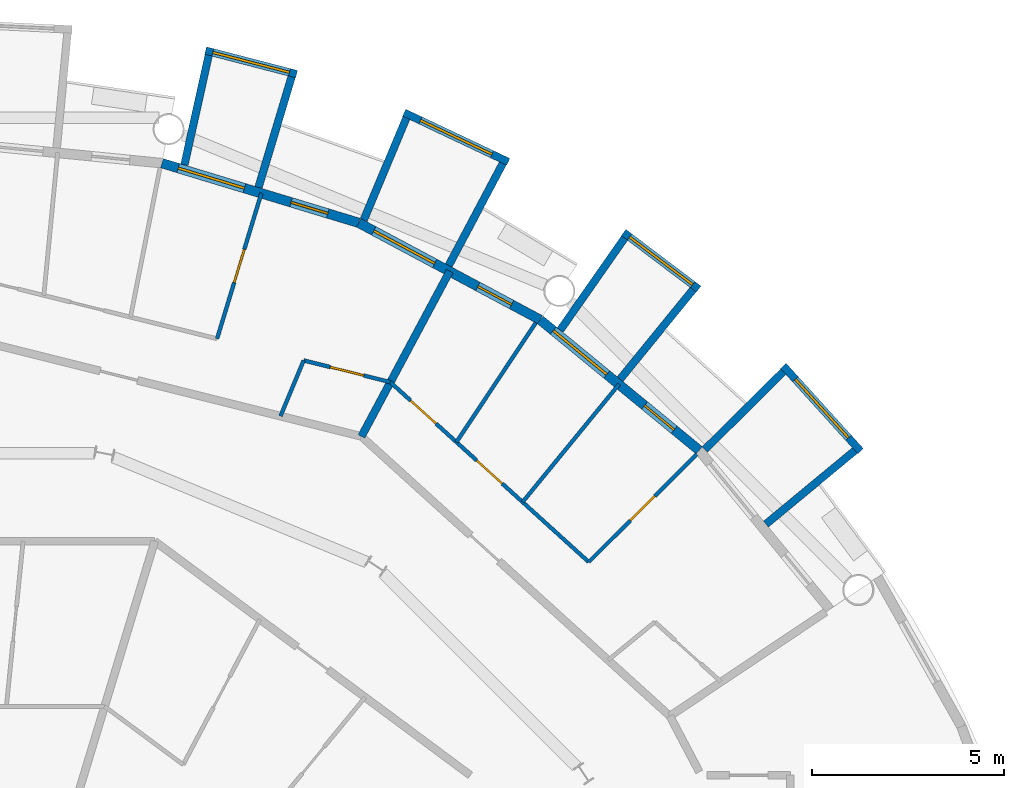
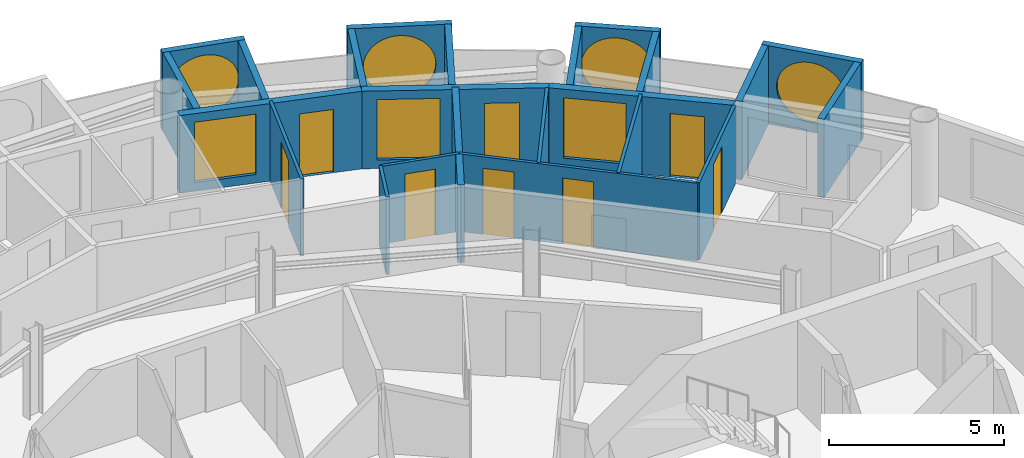
# One storey, part 23 of 26: 23 walls, 8 doors, 7 windows, 15 openings.
"""IFC4 building model written with IfcOpenShell, lengths in metres."""

from ifc_helpers import new_model, si_unit, direction, frame, frame_2d, origin, place, context, subcontext, project, spatial, rectangle, circle, extrude, material, layer, layer_set, type_object, element, fill, save


model = new_model("IFC4")

# Units and contexts
model_context = context("Model", 3, precision=1e-05, world=origin(), true_north=direction((0.0, 1.0)))
body_context = subcontext(model_context, "Body", "Model", "MODEL_VIEW")
ifc_project = project(units=[si_unit("LENGTHUNIT", "METRE"), si_unit("AREAUNIT", "SQUARE_METRE"), si_unit("VOLUMEUNIT", "CUBIC_METRE"), si_unit("PLANEANGLEUNIT", "RADIAN"), si_unit("MASSUNIT", "GRAM", prefix="KILO")], contexts=[model_context])

# Site, building, storey
site_placement = place(None, origin())
site = spatial("IfcSite", under=ifc_project, at=site_placement, CompositionType="ELEMENT")
building_placement = place(site_placement, origin())
building = spatial("IfcBuilding", under=site, at=building_placement, Name="Maasbend Ring Residences", CompositionType="ELEMENT")
storey_placement = place(building_placement, frame((0.0, 0.0, 154.35009765625)))
storey = spatial("IfcBuildingStorey", under=building, at=storey_placement, Name="L44", CompositionType="ELEMENT", Elevation=154.35009765625)

# Wall, opening, window
ifc_material_1 = material(Name="Pale anodised aluminium panel", Category="aluminium")
ifc_layer_1 = layer(ifc_material_1, 0.199951171875)
ifc_layer_set_1 = layer_set([ifc_layer_1], Name="EW-BOX")
wall_type_1 = type_object("IfcWallType", Name="EW-BOX", PredefinedType="SOLIDWALL", material=ifc_layer_set_1)
wall_1_placement = place(storey_placement, frame((23.5029296875, 19.281982421875, -0.030029296875), z_axis=(0.0, 0.0, 1.0), x_axis=(-0.671506829416, 0.740998365753, 0.0)))
wall_1 = element("IfcWall", 1, at=wall_1_placement, inside=storey, type_object=wall_type_1, Name="Box front N02", PredefinedType="SOLIDWALL", context=body_context, shape_type="SweptSolid", body=[
    extrude(rectangle(XDim=2.9931640625, YDim=0.199951171875, at=frame_2d((1.49658203125, 0.0))), origin(), (0.0, 0.0, 1.0), 2.72998046875),
])
opening_1_placement = place(wall_1_placement, frame((0.45654296875, 0.0, 0.330078125)))
opening_1 = element("IfcOpeningElement", 2, at=opening_1_placement, cuts=wall_1, Name="Opening W-RD", PredefinedType="OPENING", context=body_context, shape_type="SweptSolid", body=[
    extrude(circle(Radius=1.0400390625, at=frame_2d((1.0400390625, 1.0400390625))), frame((0.0, 0.10986328125, 0.0), z_axis=(0.0, -1.0, 0.0), x_axis=(1.0, 0.0, 0.0)), (0.0, 0.0, 1.0), 0.219970703125),
])
ifc_material_2 = material(Name="Aluminium and clear glass", Category="aluminium")
window_type_1 = type_object("IfcWindowType", Name="W-RD", PartitioningType="SINGLE_PANEL", PredefinedType="WINDOW", material=ifc_material_2)
window_1_placement = place(opening_1_placement, origin())
window_1 = element("IfcWindow", 3, at=window_1_placement, inside=storey, type_object=window_type_1, Name="Round window N02", OverallHeight=2.080078125, OverallWidth=2.080078125, PartitioningType="SINGLE_PANEL", PredefinedType="WINDOW", context=body_context, shape_type="SweptSolid", body=[
    extrude(circle(Radius=1.0400390625, at=frame_2d((1.0400390625, 1.0400390625))), frame((0.0, 0.030029296875, 0.0), z_axis=(0.0, -1.0, 0.0), x_axis=(1.0, 0.0, 0.0)), (0.0, 0.0, 1.0), 0.06005859375),
])
fill(opening_1, window_1)

# Walls
wall_2_placement = place(storey_placement, frame((21.041015625, 17.384033203125, -0.030029296875), z_axis=(0.0, 0.0, 1.0), x_axis=(0.770784861449, 0.63709551667, 0.0)))
element("IfcWall", 4, at=wall_2_placement, inside=storey, type_object=wall_type_1, Name="Box side wall N02 left", PredefinedType="SOLIDWALL", context=body_context, shape_type="SweptSolid", body=[
    extrude(rectangle(XDim=3.005859375, YDim=0.199951171875, at=frame_2d((1.5029296875, 0.0))), origin(), (0.0, 0.0, 1.0), 2.72998046875),
])
wall_3_placement = place(storey_placement, frame((19.449951171875, 19.322998046875, -0.030029296875), z_axis=(0.0, 0.0, 1.0), x_axis=(0.709727076896, 0.704476739375, 0.0)))
element("IfcWall", 5, at=wall_3_placement, inside=storey, type_object=wall_type_1, Name="Box side wall N02 right", PredefinedType="SOLIDWALL", context=body_context, shape_type="SweptSolid", body=[
    extrude(rectangle(XDim=2.883056640625, YDim=0.199951171875, at=frame_2d((1.44140625, 0.0))), origin(), (0.0, 0.0, 1.0), 2.72998046875),
])

# Wall, opening, window
wall_4_placement = place(storey_placement, frame((19.2890625, 23.4970703125, -0.030029296875), z_axis=(0.0, 0.0, 1.0), x_axis=(-0.797887588059, 0.602806268067, 0.0)))
wall_4 = element("IfcWall", 6, at=wall_4_placement, inside=storey, type_object=wall_type_1, Name="Box front N04", PredefinedType="SOLIDWALL", context=body_context, shape_type="SweptSolid", body=[
    extrude(rectangle(XDim=2.446533203125, YDim=0.199951171875, at=frame_2d((1.22314453125, 0.0))), origin(), (0.0, 0.0, 1.0), 2.72998046875),
])
opening_2_placement = place(wall_4_placement, frame((0.182861328125, 0.0, 0.330078125)))
opening_2 = element("IfcOpeningElement", 7, at=opening_2_placement, cuts=wall_4, Name="Opening W-RD", PredefinedType="OPENING", context=body_context, shape_type="SweptSolid", body=[
    extrude(circle(Radius=1.0400390625, at=frame_2d((1.0400390625, 1.0400390625))), frame((0.0, 0.10986328125, 0.0), z_axis=(0.0, -1.0, 0.0), x_axis=(1.0, 0.0, 0.0)), (0.0, 0.0, 1.0), 0.219970703125),
])
window_2_placement = place(opening_2_placement, origin())
window_2 = element("IfcWindow", 8, at=window_2_placement, inside=storey, type_object=window_type_1, Name="Round window N04", OverallHeight=2.080078125, OverallWidth=2.080078125, PartitioningType="SINGLE_PANEL", PredefinedType="WINDOW", context=body_context, shape_type="SweptSolid", body=[
    extrude(circle(Radius=1.0400390625, at=frame_2d((1.0400390625, 1.0400390625))), frame((0.0, 0.030029296875, 0.0), z_axis=(0.0, -1.0, 0.0), x_axis=(1.0, 0.0, 0.0)), (0.0, 0.0, 1.0), 0.06005859375),
])
fill(opening_2, window_2)

# Walls
wall_5_placement = place(storey_placement, frame((17.24609375, 21.155029296875, -0.030029296875), z_axis=(0.0, 0.0, 1.0), x_axis=(0.631741648902, 0.775179004516, 0.0)))
element("IfcWall", 9, at=wall_5_placement, inside=storey, type_object=wall_type_1, Name="Box side wall N04 left", PredefinedType="SOLIDWALL", context=body_context, shape_type="SweptSolid", body=[
    extrude(rectangle(XDim=3.005859375, YDim=0.199951171875, at=frame_2d((1.5029296875, 0.0))), origin(), (0.0, 0.0, 1.0), 2.72998046875),
])
wall_6_placement = place(storey_placement, frame((15.68798828125, 22.43310546875, -0.030029296875), z_axis=(0.0, 0.0, 1.0), x_axis=(0.573260687834, 0.819373043115, 0.0)))
element("IfcWall", 10, at=wall_6_placement, inside=storey, type_object=wall_type_1, Name="Box side wall N04 right", PredefinedType="SOLIDWALL", context=body_context, shape_type="SweptSolid", body=[
    extrude(rectangle(XDim=2.92529296875, YDim=0.199951171875, at=frame_2d((1.462646484375, 0.0))), origin(), (0.0, 0.0, 1.0), 2.72998046875),
])

# Wall, opening, window
wall_7_placement = place(storey_placement, frame((14.3349609375, 26.80810546875, -0.030029296875), z_axis=(0.0, 0.0, 1.0), x_axis=(-0.904000060331, 0.427532327342, 0.0)))
wall_7 = element("IfcWall", 11, at=wall_7_placement, inside=storey, type_object=wall_type_1, Name="Box front N06", PredefinedType="SOLIDWALL", context=body_context, shape_type="SweptSolid", body=[
    extrude(rectangle(XDim=2.993408203125, YDim=0.199951171875, at=frame_2d((1.49658203125, 0.0))), origin(), (0.0, 0.0, 1.0), 2.72998046875),
])
opening_3_placement = place(wall_7_placement, frame((0.45654296875, 0.0, 0.330078125)))
opening_3 = element("IfcOpeningElement", 12, at=opening_3_placement, cuts=wall_7, Name="Opening W-RD", PredefinedType="OPENING", context=body_context, shape_type="SweptSolid", body=[
    extrude(circle(Radius=1.0400390625, at=frame_2d((1.0400390625, 1.0400390625))), frame((0.0, 0.10986328125, 0.0), z_axis=(0.0, -1.0, 0.0), x_axis=(1.0, 0.0, 0.0)), (0.0, 0.0, 1.0), 0.219970703125),
])
window_3_placement = place(opening_3_placement, origin())
window_3 = element("IfcWindow", 13, at=window_3_placement, inside=storey, type_object=window_type_1, Name="Round window N06", OverallHeight=2.080078125, OverallWidth=2.080078125, PartitioningType="SINGLE_PANEL", PredefinedType="WINDOW", context=body_context, shape_type="SweptSolid", body=[
    extrude(circle(Radius=1.0400390625, at=frame_2d((1.0400390625, 1.0400390625))), frame((0.0, 0.030029296875, 0.0), z_axis=(0.0, -1.0, 0.0), x_axis=(1.0, 0.0, 0.0)), (0.0, 0.0, 1.0), 0.06005859375),
])
fill(opening_3, window_3)

# Walls
wall_8_placement = place(storey_placement, frame((12.787109375, 24.113037109375, -0.030029296875), z_axis=(0.0, 0.0, 1.0), x_axis=(0.468365282436, 0.883534924159, 0.0)))
element("IfcWall", 14, at=wall_8_placement, inside=storey, type_object=wall_type_1, Name="Box side wall N06 left", PredefinedType="SOLIDWALL", context=body_context, shape_type="SweptSolid", body=[
    extrude(rectangle(XDim=3.006103515625, YDim=0.199951171875, at=frame_2d((1.5029296875, 0.0))), origin(), (0.0, 0.0, 1.0), 2.72998046875),
])
wall_9_placement = place(storey_placement, frame((10.574951171875, 25.294921875, -0.030029296875), z_axis=(0.0, 0.0, 1.0), x_axis=(0.385697364644, 0.922625353492, 0.0)))
element("IfcWall", 15, at=wall_9_placement, inside=storey, type_object=wall_type_1, Name="Box side wall N06 right", PredefinedType="SOLIDWALL", context=body_context, shape_type="SweptSolid", body=[
    extrude(rectangle(XDim=2.88330078125, YDim=0.199951171875, at=frame_2d((1.441650390625, 0.0))), origin(), (0.0, 0.0, 1.0), 2.72998046875),
])

# Wall, opening, window
wall_10_placement = place(storey_placement, frame((8.8291015625, 29.090087890625, -0.030029296875), z_axis=(0.0, 0.0, 1.0), x_axis=(-0.96789536872, 0.251353446784, 0.0)))
wall_10 = element("IfcWall", 16, at=wall_10_placement, inside=storey, type_object=wall_type_1, Name="Box front N08", PredefinedType="SOLIDWALL", context=body_context, shape_type="SweptSolid", body=[
    extrude(rectangle(XDim=2.44677734375, YDim=0.199951171875, at=frame_2d((1.223388671875, 0.0))), origin(), (0.0, 0.0, 1.0), 2.72998046875),
])
opening_4_placement = place(wall_10_placement, frame((0.182861328125, 0.0, 0.330078125)))
opening_4 = element("IfcOpeningElement", 17, at=opening_4_placement, cuts=wall_10, Name="Opening W-RD", PredefinedType="OPENING", context=body_context, shape_type="SweptSolid", body=[
    extrude(circle(Radius=1.0400390625, at=frame_2d((1.0400390625, 1.0400390625))), frame((0.0, 0.10986328125, 0.0), z_axis=(0.0, -1.0, 0.0), x_axis=(1.0, 0.0, 0.0)), (0.0, 0.0, 1.0), 0.219970703125),
])
window_4_placement = place(opening_4_placement, origin())
window_4 = element("IfcWindow", 18, at=window_4_placement, inside=storey, type_object=window_type_1, Name="Round window N08", OverallHeight=2.080078125, OverallWidth=2.080078125, PartitioningType="SINGLE_PANEL", PredefinedType="WINDOW", context=body_context, shape_type="SweptSolid", body=[
    extrude(circle(Radius=1.0400390625, at=frame_2d((1.0400390625, 1.0400390625))), frame((0.0, 0.030029296875, 0.0), z_axis=(0.0, -1.0, 0.0), x_axis=(1.0, 0.0, 0.0)), (0.0, 0.0, 1.0), 0.06005859375),
])
fill(opening_4, window_4)

# Walls
wall_11_placement = place(storey_placement, frame((7.8369140625, 26.14404296875, -0.030029296875), z_axis=(0.0, 0.0, 1.0), x_axis=(0.287064767992, 0.957911174889, 0.0)))
element("IfcWall", 19, at=wall_11_placement, inside=storey, type_object=wall_type_1, Name="Box side wall N08 left", PredefinedType="SOLIDWALL", context=body_context, shape_type="SweptSolid", body=[
    extrude(rectangle(XDim=3.00634765625, YDim=0.199951171875, at=frame_2d((1.503173828125, 0.0))), origin(), (0.0, 0.0, 1.0), 2.72998046875),
])
wall_12_placement = place(storey_placement, frame((5.908935546875, 26.72900390625, -0.030029296875), z_axis=(0.0, 0.0, 1.0), x_axis=(0.216409053917, 0.976302781612, 0.0)))
element("IfcWall", 20, at=wall_12_placement, inside=storey, type_object=wall_type_1, Name="Box side wall N08 right", PredefinedType="SOLIDWALL", context=body_context, shape_type="SweptSolid", body=[
    extrude(rectangle(XDim=2.92529296875, YDim=0.199951171875, at=frame_2d((1.462646484375, 0.0))), origin(), (0.0, 0.0, 1.0), 2.72998046875),
])

# Wall, openings, door, window
ifc_material_3 = material(Name="Aluminium clad insulated panel", Category="aluminium")
ifc_layer_2 = layer(ifc_material_3, 0.25)
ifc_layer_set_2 = layer_set([ifc_layer_2], Name="EW-GL")
wall_type_2 = type_object("IfcWallType", Name="EW-GL", PredefinedType="SOLIDWALL", material=ifc_layer_set_2)
wall_13_placement = place(storey_placement, frame((19.303955078125, 19.303955078125, 0.0), z_axis=(0.0, 0.0, 1.0), x_axis=(-0.773019449054, 0.634382322723, 0.0)))
wall_13 = element("IfcWall", 21, at=wall_13_placement, inside=storey, type_object=wall_type_2, Name="External wall N02", PredefinedType="SOLIDWALL", context=body_context, shape_type="SweptSolid", body=[
    extrude(rectangle(XDim=5.351806640625, YDim=0.25, at=frame_2d((2.67578125, 0.0))), origin(), (0.0, 0.0, 1.0), 2.699951171875),
])
opening_5_placement = place(wall_13_placement, frame((0.841064453125, 0.0, 0.0)))
opening_5 = element("IfcOpeningElement", 22, at=opening_5_placement, cuts=wall_13, Name="Opening D-LG", PredefinedType="OPENING", context=body_context, shape_type="SweptSolid", body=[
    extrude(rectangle(XDim=1.0, YDim=2.199951171875, at=frame_2d((0.5, 1.10009765625))), frame((0.0, 0.135009765625, 0.0), z_axis=(0.0, -1.0, 0.0), x_axis=(1.0, 0.0, 0.0)), (0.0, 0.0, 1.0), 0.27001953125),
])
opening_6_placement = place(wall_13_placement, frame((3.110595703125, 0.0, 0.300048828125)))
opening_6 = element("IfcOpeningElement", 23, at=opening_6_placement, cuts=wall_13, Name="Opening W-BX", PredefinedType="OPENING", context=body_context, shape_type="SweptSolid", body=[
    extrude(rectangle(XDim=1.800048828125, YDim=2.10009765625, at=frame_2d((0.89990234375, 1.050048828125))), frame((0.0, 0.135009765625, 0.0), z_axis=(0.0, -1.0, 0.0), x_axis=(1.0, 0.0, 0.0)), (0.0, 0.0, 1.0), 0.27001953125),
])
ifc_material_4 = material(Name="Aluminium and clear glass", Category="aluminium")
door_type_1 = type_object("IfcDoorType", Name="D-LG", OperationType="SINGLE_SWING_LEFT", PredefinedType="DOOR", material=ifc_material_4)
door_1_placement = place(opening_5_placement, origin())
door_1 = element("IfcDoor", 24, at=door_1_placement, inside=storey, type_object=door_type_1, Name="Loggia door N03", OperationType="SINGLE_SWING_LEFT", OverallHeight=2.199951171875, OverallWidth=1.0, PredefinedType="DOOR", context=body_context, shape_type="SweptSolid", body=[
    extrude(rectangle(XDim=1.0, YDim=2.199951171875, at=frame_2d((0.5, 1.10009765625))), frame((0.0, 0.02490234375, 0.0), z_axis=(0.0, -1.0, 0.0), x_axis=(1.0, 0.0, 0.0)), (0.0, 0.0, 1.0), 0.050048828125),
])
fill(opening_5, door_1)
ifc_material_5 = material(Name="Aluminium and clear glass", Category="aluminium")
window_type_2 = type_object("IfcWindowType", Name="W-BX", PartitioningType="DOUBLE_PANEL_VERTICAL", PredefinedType="WINDOW", material=ifc_material_5)
window_5_placement = place(opening_6_placement, origin())
window_5 = element("IfcWindow", 25, at=window_5_placement, inside=storey, type_object=window_type_2, Name="Window N04 room to box", OverallHeight=2.10009765625, OverallWidth=1.800048828125, PartitioningType="SINGLE_PANEL", PredefinedType="WINDOW", context=body_context, shape_type="SweptSolid", body=[
    extrude(rectangle(XDim=1.800048828125, YDim=2.10009765625, at=frame_2d((0.89990234375, 1.050048828125))), frame((0.0, 0.030029296875, 0.0), z_axis=(0.0, -1.0, 0.0), x_axis=(1.0, 0.0, 0.0)), (0.0, 0.0, 1.0), 0.06005859375),
])
fill(opening_6, window_5)

wall_14_placement = place(storey_placement, frame((15.1669921875, 22.698974609375, 0.0), z_axis=(0.0, 0.0, 1.0), x_axis=(-0.881915646801, 0.471407246368, 0.0)))
wall_14 = element("IfcWall", 26, at=wall_14_placement, inside=storey, type_object=wall_type_2, Name="External wall N03", PredefinedType="SOLIDWALL", context=body_context, shape_type="SweptSolid", body=[
    extrude(rectangle(XDim=5.35205078125, YDim=0.25, at=frame_2d((2.676025390625, 0.0))), origin(), (0.0, 0.0, 1.0), 2.699951171875),
])
opening_7_placement = place(wall_14_placement, frame((0.841064453125, 0.0, 0.0)))
opening_7 = element("IfcOpeningElement", 27, at=opening_7_placement, cuts=wall_14, Name="Opening D-LG", PredefinedType="OPENING", context=body_context, shape_type="SweptSolid", body=[
    extrude(rectangle(XDim=1.0, YDim=2.199951171875, at=frame_2d((0.5, 1.10009765625))), frame((0.0, 0.135009765625, 0.0), z_axis=(0.0, -1.0, 0.0), x_axis=(1.0, 0.0, 0.0)), (0.0, 0.0, 1.0), 0.27001953125),
])
opening_8_placement = place(wall_14_placement, frame((3.110595703125, 0.0, 0.300048828125)))
opening_8 = element("IfcOpeningElement", 28, at=opening_8_placement, cuts=wall_14, Name="Opening W-BX", PredefinedType="OPENING", context=body_context, shape_type="SweptSolid", body=[
    extrude(rectangle(XDim=1.800048828125, YDim=2.10009765625, at=frame_2d((0.89990234375, 1.050048828125))), frame((0.0, 0.135009765625, 0.0), z_axis=(0.0, -1.0, 0.0), x_axis=(1.0, 0.0, 0.0)), (0.0, 0.0, 1.0), 0.27001953125),
])
door_2_placement = place(opening_7_placement, origin())
door_2 = element("IfcDoor", 29, at=door_2_placement, inside=storey, type_object=door_type_1, Name="Loggia door N05", OperationType="SINGLE_SWING_LEFT", OverallHeight=2.199951171875, OverallWidth=1.0, PredefinedType="DOOR", context=body_context, shape_type="SweptSolid", body=[
    extrude(rectangle(XDim=1.0, YDim=2.199951171875, at=frame_2d((0.5, 1.10009765625))), frame((0.0, 0.02490234375, 0.0), z_axis=(0.0, -1.0, 0.0), x_axis=(1.0, 0.0, 0.0)), (0.0, 0.0, 1.0), 0.050048828125),
])
fill(opening_7, door_2)
window_6_placement = place(opening_8_placement, origin())
window_6 = element("IfcWindow", 30, at=window_6_placement, inside=storey, type_object=window_type_2, Name="Window N06 room to box", OverallHeight=2.10009765625, OverallWidth=1.800048828125, PartitioningType="SINGLE_PANEL", PredefinedType="WINDOW", context=body_context, shape_type="SweptSolid", body=[
    extrude(rectangle(XDim=1.800048828125, YDim=2.10009765625, at=frame_2d((0.89990234375, 1.050048828125))), frame((0.0, 0.030029296875, 0.0), z_axis=(0.0, -1.0, 0.0), x_axis=(1.0, 0.0, 0.0)), (0.0, 0.0, 1.0), 0.06005859375),
])
fill(opening_8, window_6)

wall_15_placement = place(storey_placement, frame((10.447021484375, 25.221923828125, 0.0), z_axis=(0.0, 0.0, 1.0), x_axis=(-0.956965678721, 0.290201119486, 0.0)))
wall_15 = element("IfcWall", 31, at=wall_15_placement, inside=storey, type_object=wall_type_2, Name="External wall N04", PredefinedType="SOLIDWALL", context=body_context, shape_type="SweptSolid", body=[
    extrude(rectangle(XDim=5.351318359375, YDim=0.25, at=frame_2d((2.67578125, 0.0))), origin(), (0.0, 0.0, 1.0), 2.699951171875),
])
opening_9_placement = place(wall_15_placement, frame((0.841064453125, 0.0, 0.0)))
opening_9 = element("IfcOpeningElement", 32, at=opening_9_placement, cuts=wall_15, Name="Opening D-LG", PredefinedType="OPENING", context=body_context, shape_type="SweptSolid", body=[
    extrude(rectangle(XDim=1.0, YDim=2.199951171875, at=frame_2d((0.5, 1.10009765625))), frame((0.0, 0.135009765625, 0.0), z_axis=(0.0, -1.0, 0.0), x_axis=(1.0, 0.0, 0.0)), (0.0, 0.0, 1.0), 0.27001953125),
])
opening_10_placement = place(wall_15_placement, frame((3.110595703125, 0.0, 0.300048828125)))
opening_10 = element("IfcOpeningElement", 33, at=opening_10_placement, cuts=wall_15, Name="Opening W-BX", PredefinedType="OPENING", context=body_context, shape_type="SweptSolid", body=[
    extrude(rectangle(XDim=1.800048828125, YDim=2.10009765625, at=frame_2d((0.89990234375, 1.050048828125))), frame((0.0, 0.135009765625, 0.0), z_axis=(0.0, -1.0, 0.0), x_axis=(1.0, 0.0, 0.0)), (0.0, 0.0, 1.0), 0.27001953125),
])
door_3_placement = place(opening_9_placement, origin())
door_3 = element("IfcDoor", 34, at=door_3_placement, inside=storey, type_object=door_type_1, Name="Loggia door N07", OperationType="SINGLE_SWING_LEFT", OverallHeight=2.199951171875, OverallWidth=1.0, PredefinedType="DOOR", context=body_context, shape_type="SweptSolid", body=[
    extrude(rectangle(XDim=1.0, YDim=2.199951171875, at=frame_2d((0.5, 1.10009765625))), frame((0.0, 0.02490234375, 0.0), z_axis=(0.0, -1.0, 0.0), x_axis=(1.0, 0.0, 0.0)), (0.0, 0.0, 1.0), 0.050048828125),
])
fill(opening_9, door_3)
window_7_placement = place(opening_10_placement, origin())
window_7 = element("IfcWindow", 35, at=window_7_placement, inside=storey, type_object=window_type_2, Name="Window N08 room to box", OverallHeight=2.10009765625, OverallWidth=1.800048828125, PartitioningType="SINGLE_PANEL", PredefinedType="WINDOW", context=body_context, shape_type="SweptSolid", body=[
    extrude(rectangle(XDim=1.800048828125, YDim=2.10009765625, at=frame_2d((0.89990234375, 1.050048828125))), frame((0.0, 0.030029296875, 0.0), z_axis=(0.0, -1.0, 0.0), x_axis=(1.0, 0.0, 0.0)), (0.0, 0.0, 1.0), 0.06005859375),
])
fill(opening_10, window_7)

# Wall
ifc_material_6 = material(Name="Gypsum board on steel studs", Category="steel")
ifc_layer_3 = layer(ifc_material_6, 0.10009765625)
ifc_layer_set_3 = layer_set([ifc_layer_3], Name="PARTITION 100 GYPSUM")
wall_type_3 = type_object("IfcWallType", Name="PARTITION 100 GYPSUM", PredefinedType="PARTITIONING", material=ifc_layer_set_3)
wall_16_placement = place(storey_placement, frame((8.409912109375, 20.193115234375, 0.0), z_axis=(0.0, 0.0, 1.0), x_axis=(0.384228756538, 0.923237923099, 0.0)))
element("IfcWall", 36, at=wall_16_placement, inside=storey, type_object=wall_type_3, Name="U-L44-w032", PredefinedType="PARTITIONING", context=body_context, shape_type="SweptSolid", body=[
    extrude(rectangle(XDim=1.5693359375, YDim=0.10009765625, at=frame_2d((0.78466796875, 0.0))), origin(), (0.0, 0.0, 1.0), 2.699951171875),
])

# Wall, opening, door
wall_17_placement = place(storey_placement, frame((6.760009765625, 22.20703125, 0.0), z_axis=(0.0, 0.0, 1.0), x_axis=(0.291291575636, 0.956634317785, 0.0)))
wall_17 = element("IfcWall", 37, at=wall_17_placement, inside=storey, type_object=wall_type_3, Name="U-L44-w075", PredefinedType="PARTITIONING", context=body_context, shape_type="SweptSolid", body=[
    extrude(rectangle(XDim=3.9619140625, YDim=0.10009765625, at=frame_2d((1.98095703125, 0.0))), origin(), (0.0, 0.0, 1.0), 2.699951171875),
])
opening_11_placement = place(wall_17_placement, frame((1.531005859375, 0.0, 0.0)))
opening_11 = element("IfcOpeningElement", 38, at=opening_11_placement, cuts=wall_17, Name="Opening D-4408", PredefinedType="OPENING", context=body_context, shape_type="SweptSolid", body=[
    extrude(rectangle(XDim=0.89990234375, YDim=2.300048828125, at=frame_2d((0.449951171875, 1.14990234375))), frame((0.0, 0.06005859375, 0.0), z_axis=(0.0, -1.0, 0.0), x_axis=(1.0, 0.0, 0.0)), (0.0, 0.0, 1.0), 0.1201171875),
])
ifc_material_7 = material(Name="Timber, painted", Category="wood")
door_type_2 = type_object("IfcDoorType", Name="INTERNAL DOOR 900 X 2300", OperationType="NOTDEFINED", PredefinedType="DOOR", material=ifc_material_7)
door_4_placement = place(opening_11_placement, origin())
door_4 = element("IfcDoor", 39, at=door_4_placement, inside=storey, type_object=door_type_2, Name="D-4408", OperationType="SINGLE_SWING_RIGHT", OverallHeight=2.300048828125, OverallWidth=0.89990234375, PredefinedType="DOOR", context=body_context, shape_type="SweptSolid", body=[
    extrude(rectangle(XDim=0.89990234375, YDim=2.300048828125, at=frame_2d((0.449951171875, 1.14990234375))), frame((0.0, 0.02490234375, 0.0), z_axis=(0.0, -1.0, 0.0), x_axis=(1.0, 0.0, 0.0)), (0.0, 0.0, 1.0), 0.050048828125),
])
fill(opening_11, door_4)

# Walls
wall_18_placement = place(storey_placement, frame((12.988037109375, 19.51806640625, 0.0), z_axis=(0.0, 0.0, 1.0), x_axis=(0.553823887887, 0.83263383381, 0.0)))
element("IfcWall", 40, at=wall_18_placement, inside=storey, type_object=wall_type_3, Name="U-L44-w079", PredefinedType="PARTITIONING", context=body_context, shape_type="SweptSolid", body=[
    extrude(rectangle(XDim=3.730224609375, YDim=0.10009765625, at=frame_2d((1.865234375, 0.0))), origin(), (0.0, 0.0, 1.0), 2.699951171875),
])
wall_19_placement = place(storey_placement, frame((14.708984375, 17.9580078125, 0.0), z_axis=(0.0, 0.0, 1.0), x_axis=(0.633590098448, 0.773668913133, 0.0)))
element("IfcWall", 41, at=wall_19_placement, inside=storey, type_object=wall_type_3, Name="U-L44-w081", PredefinedType="PARTITIONING", context=body_context, shape_type="SweptSolid", body=[
    extrude(rectangle(XDim=3.961669921875, YDim=0.10009765625, at=frame_2d((1.98095703125, 0.0))), origin(), (0.0, 0.0, 1.0), 2.699951171875),
])

# Wall, opening, door
wall_20_placement = place(storey_placement, frame((16.429931640625, 16.39794921875, 0.0), z_axis=(0.0, 0.0, 1.0), x_axis=(0.707722727509, 0.706490297858, 0.0)))
wall_20 = element("IfcWall", 42, at=wall_20_placement, inside=storey, type_object=wall_type_3, Name="U-L44-w082", PredefinedType="PARTITIONING", context=body_context, shape_type="SweptSolid", body=[
    extrude(rectangle(XDim=3.9619140625, YDim=0.10009765625, at=frame_2d((1.98095703125, 0.0))), origin(), (0.0, 0.0, 1.0), 2.699951171875),
])
opening_12_placement = place(wall_20_placement, frame((1.531005859375, 0.0, 0.0)))
opening_12 = element("IfcOpeningElement", 43, at=opening_12_placement, cuts=wall_20, Name="Opening D-4403", PredefinedType="OPENING", context=body_context, shape_type="SweptSolid", body=[
    extrude(rectangle(XDim=0.89990234375, YDim=2.300048828125, at=frame_2d((0.449951171875, 1.14990234375))), frame((0.0, 0.06005859375, 0.0), z_axis=(0.0, -1.0, 0.0), x_axis=(1.0, 0.0, 0.0)), (0.0, 0.0, 1.0), 0.1201171875),
])
door_5_placement = place(opening_12_placement, origin())
door_5 = element("IfcDoor", 44, at=door_5_placement, inside=storey, type_object=door_type_2, Name="D-4403", OperationType="SINGLE_SWING_RIGHT", OverallHeight=2.300048828125, OverallWidth=0.89990234375, PredefinedType="DOOR", context=body_context, shape_type="SweptSolid", body=[
    extrude(rectangle(XDim=0.89990234375, YDim=2.300048828125, at=frame_2d((0.449951171875, 1.14990234375))), frame((0.0, 0.02490234375, 0.0), z_axis=(0.0, -1.0, 0.0), x_axis=(1.0, 0.0, 0.0)), (0.0, 0.0, 1.0), 0.050048828125),
])
fill(opening_12, door_5)

wall_21_placement = place(storey_placement, frame((9.012939453125, 21.64208984375, 0.0), z_axis=(0.0, 0.0, 1.0), x_axis=(0.970049686104, -0.242906579758, 0.0)))
wall_21 = element("IfcWall", 45, at=wall_21_placement, inside=storey, type_object=wall_type_3, Name="U-L44-w115", PredefinedType="PARTITIONING", context=body_context, shape_type="SweptSolid", body=[
    extrude(rectangle(XDim=2.32275390625, YDim=0.10009765625, at=frame_2d((1.161376953125, 0.0))), origin(), (0.0, 0.0, 1.0), 2.699951171875),
])
opening_13_placement = place(wall_21_placement, frame((0.7109375, 0.0, 0.0)))
opening_13 = element("IfcOpeningElement", 46, at=opening_13_placement, cuts=wall_21, Name="Opening D-4407", PredefinedType="OPENING", context=body_context, shape_type="SweptSolid", body=[
    extrude(rectangle(XDim=0.89990234375, YDim=2.300048828125, at=frame_2d((0.449951171875, 1.14990234375))), frame((0.0, 0.06005859375, 0.0), z_axis=(0.0, -1.0, 0.0), x_axis=(1.0, 0.0, 0.0)), (0.0, 0.0, 1.0), 0.1201171875),
])
door_6_placement = place(opening_13_placement, origin())
door_6 = element("IfcDoor", 47, at=door_6_placement, inside=storey, type_object=door_type_2, Name="D-4407", OperationType="SINGLE_SWING_RIGHT", OverallHeight=2.300048828125, OverallWidth=0.89990234375, PredefinedType="DOOR", context=body_context, shape_type="SweptSolid", body=[
    extrude(rectangle(XDim=0.89990234375, YDim=2.300048828125, at=frame_2d((0.449951171875, 1.14990234375))), frame((0.0, 0.02490234375, 0.0), z_axis=(0.0, -1.0, 0.0), x_axis=(1.0, 0.0, 0.0)), (0.0, 0.0, 1.0), 0.050048828125),
])
fill(opening_13, door_6)

# Wall, openings, doors
wall_22_placement = place(storey_placement, frame((11.26611328125, 21.077880859375, 0.0), z_axis=(0.0, 0.0, 1.0), x_axis=(0.74097115376, -0.671536856245, 0.0)))
wall_22 = element("IfcWall", 48, at=wall_22_placement, inside=storey, type_object=wall_type_3, Name="U-L44-w116", PredefinedType="PARTITIONING", context=body_context, shape_type="SweptSolid", body=[
    extrude(rectangle(XDim=6.968994140625, YDim=0.10009765625, at=frame_2d((3.484375, 0.0))), origin(), (0.0, 0.0, 1.0), 2.699951171875),
])
opening_14_placement = place(wall_22_placement, frame((3.033935546875, 0.0, 0.0)))
opening_14 = element("IfcOpeningElement", 49, at=opening_14_placement, cuts=wall_22, Name="Opening D-4404", PredefinedType="OPENING", context=body_context, shape_type="SweptSolid", body=[
    extrude(rectangle(XDim=0.89990234375, YDim=2.300048828125, at=frame_2d((0.449951171875, 1.14990234375))), frame((0.0, 0.06005859375, 0.0), z_axis=(0.0, -1.0, 0.0), x_axis=(1.0, 0.0, 0.0)), (0.0, 0.0, 1.0), 0.1201171875),
])
opening_15_placement = place(wall_22_placement, frame((0.7119140625, 0.0, 0.0)))
opening_15 = element("IfcOpeningElement", 50, at=opening_15_placement, cuts=wall_22, Name="Opening D-4405", PredefinedType="OPENING", context=body_context, shape_type="SweptSolid", body=[
    extrude(rectangle(XDim=0.89990234375, YDim=2.300048828125, at=frame_2d((0.449951171875, 1.14990234375))), frame((0.0, 0.06005859375, 0.0), z_axis=(0.0, -1.0, 0.0), x_axis=(1.0, 0.0, 0.0)), (0.0, 0.0, 1.0), 0.1201171875),
])
door_7_placement = place(opening_14_placement, origin())
door_7 = element("IfcDoor", 51, at=door_7_placement, inside=storey, type_object=door_type_2, Name="D-4404", OperationType="SINGLE_SWING_LEFT", OverallHeight=2.300048828125, OverallWidth=0.89990234375, PredefinedType="DOOR", context=body_context, shape_type="SweptSolid", body=[
    extrude(rectangle(XDim=0.89990234375, YDim=2.300048828125, at=frame_2d((0.449951171875, 1.14990234375))), frame((0.0, 0.02490234375, 0.0), z_axis=(0.0, -1.0, 0.0), x_axis=(1.0, 0.0, 0.0)), (0.0, 0.0, 1.0), 0.050048828125),
])
fill(opening_14, door_7)
door_8_placement = place(opening_15_placement, origin())
door_8 = element("IfcDoor", 52, at=door_8_placement, inside=storey, type_object=door_type_2, Name="D-4405", OperationType="SINGLE_SWING_LEFT", OverallHeight=2.300048828125, OverallWidth=0.89990234375, PredefinedType="DOOR", context=body_context, shape_type="SweptSolid", body=[
    extrude(rectangle(XDim=0.89990234375, YDim=2.300048828125, at=frame_2d((0.449951171875, 1.14990234375))), frame((0.0, 0.02490234375, 0.0), z_axis=(0.0, -1.0, 0.0), x_axis=(1.0, 0.0, 0.0)), (0.0, 0.0, 1.0), 0.050048828125),
])
fill(opening_15, door_8)

# Wall
ifc_material_8 = material(Name="Concrete C30/37", Category="concrete")
ifc_layer_4 = layer(ifc_material_8, 0.199951171875)
ifc_layer_set_4 = layer_set([ifc_layer_4], Name="Concrete C30/37")
wall_type_4 = type_object("IfcWallType", Name="PARTY WALL 200 CONCRETE", PredefinedType="PARTITIONING", material=ifc_layer_set_4)
wall_23_placement = place(storey_placement, frame((10.51611328125, 19.6650390625, 0.0), z_axis=(0.0, 0.0, 1.0), x_axis=(0.471388689095, 0.881925565903, 0.0)))
element("IfcWall", 53, at=wall_23_placement, inside=storey, type_object=wall_type_4, Name="U-L44-w077", PredefinedType="PARTITIONING", context=body_context, shape_type="SweptSolid", body=[
    extrude(rectangle(XDim=4.874755859375, YDim=0.199951171875, at=frame_2d((2.4375, 0.0))), origin(), (0.0, 0.0, 1.0), 2.699951171875),
])

save(model, "model.ifc")
